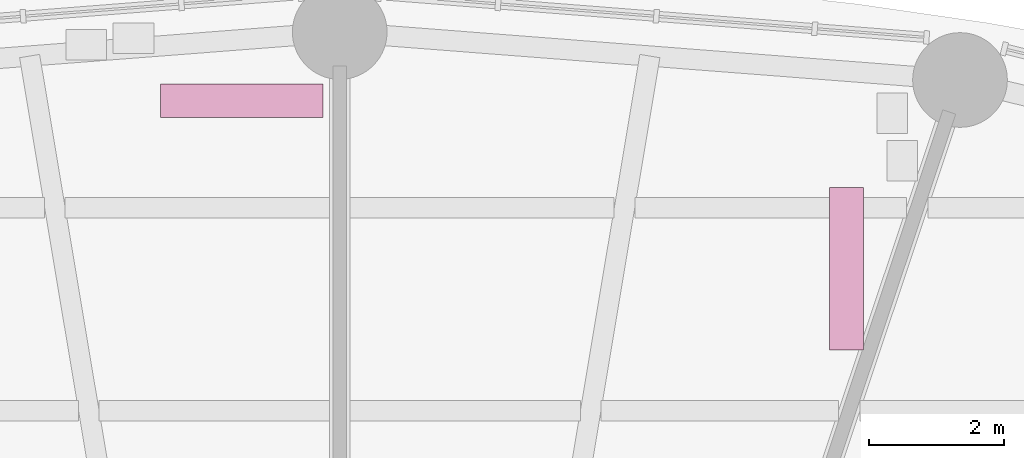
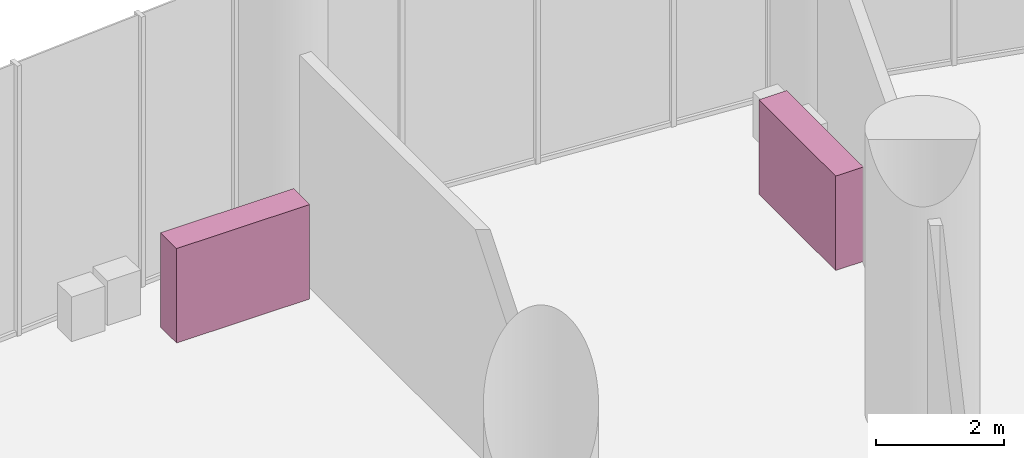
# One storey, part 23 of 23: 2 furniture elements.
"""IFC4 building model written with IfcOpenShell, lengths in metres."""

from ifc_helpers import new_model, si_unit, direction, frame, origin, origin_2d, place, context, subcontext, project, spatial, rectangle, extrude, element, save


model = new_model("IFC4")

# Units and contexts
model_context = context("Model", 3, precision=1e-05, world=origin(), true_north=direction((0.0, 1.0)))
body_context = subcontext(model_context, "Body", "Model", "MODEL_VIEW")
ifc_project = project(units=[si_unit("LENGTHUNIT", "METRE"), si_unit("AREAUNIT", "SQUARE_METRE"), si_unit("VOLUMEUNIT", "CUBIC_METRE"), si_unit("PLANEANGLEUNIT", "RADIAN"), si_unit("MASSUNIT", "GRAM", prefix="KILO")], contexts=[model_context])

# Site, building, storey
site_placement = place(None, origin())
site = spatial("IfcSite", under=ifc_project, at=site_placement, CompositionType="ELEMENT")
building_placement = place(site_placement, origin())
building = spatial("IfcBuilding", under=site, at=building_placement, Name="Hankou Lantern Tower", CompositionType="ELEMENT")
storey_placement = place(building_placement, frame((0.0, 0.0, 19.199951171875)))
storey = spatial("IfcBuildingStorey", under=building, at=storey_placement, Name="L03", CompositionType="ELEMENT", Elevation=19.199951171875)

# Furniture
for number, where, z_axis, x_axis, name in (
    (1, (7.495849609375, 24.60009765625, 0.0), (0.0, 0.0, 1.0), (0.0, 1.0, 0.0), "Male changing room lockers 1"),
    (2, (-1.449951171875, 27.08544921875, 0.0), (0.0, 0.0, 1.0), (-1.0, 0.0, 0.0), "Female changing room lockers 1"),
):
    element("IfcFurniture", number, at=place(storey_placement, frame(where, z_axis=z_axis, x_axis=x_axis)), inside=storey, Name=name, ObjectType="Staff lockers", PredefinedType="USERDEFINED", context=body_context, shape_type="SweptSolid", body=[
        extrude(rectangle(XDim=2.39990234375, YDim=0.5, at=origin_2d()), origin(), (0.0, 0.0, 1.0), 1.800048828125),
    ])

save(model, "model.ifc")
